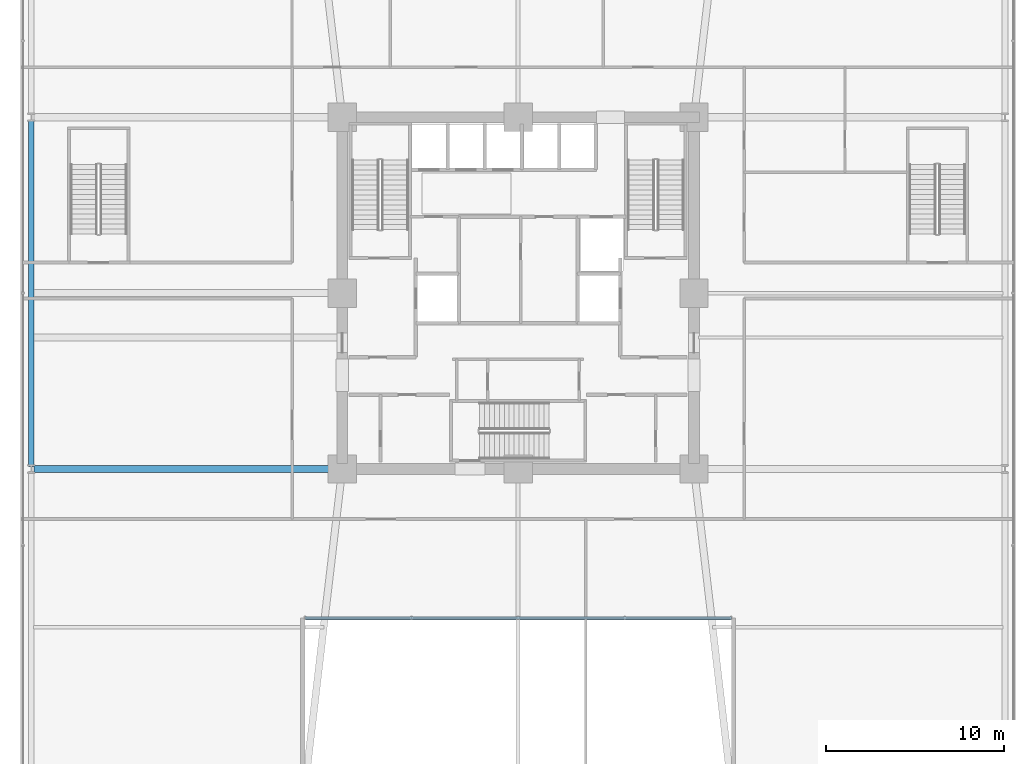
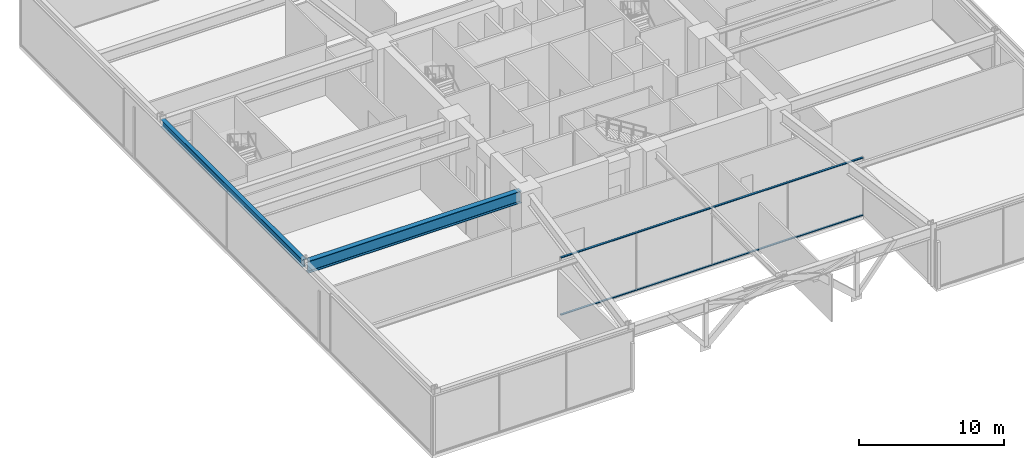
# One storey, part 13 of 49: 2 beams, 2 members, 1 element without a shape of its own.
"""IFC4 building model written with IfcOpenShell, lengths in metres."""

from ifc_helpers import new_model, si_unit, direction, frame, origin, origin_2d, place, context, subcontext, project, spatial, hollow_rectangle, i_section, extrude, material, material_profile, profile_set, type_object, element, aggregate, save


model = new_model("IFC4")

# Units and contexts
model_context = context("Model", 3, precision=1e-05, world=origin(), true_north=direction((0.0, 1.0)))
body_context = subcontext(model_context, "Body", "Model", "MODEL_VIEW")
ifc_project = project(units=[si_unit("LENGTHUNIT", "METRE"), si_unit("AREAUNIT", "SQUARE_METRE"), si_unit("VOLUMEUNIT", "CUBIC_METRE"), si_unit("PLANEANGLEUNIT", "RADIAN"), si_unit("MASSUNIT", "GRAM", prefix="KILO")], contexts=[model_context])

# Site, building, storey
site_placement = place(None, origin())
site = spatial("IfcSite", under=ifc_project, at=site_placement, CompositionType="ELEMENT")
building_placement = place(site_placement, origin())
building = spatial("IfcBuilding", under=site, at=building_placement, Name="Kolvaren Belvedere", CompositionType="ELEMENT")
storey_placement = place(building_placement, frame((0.0, 0.0, 10.0)))
storey = spatial("IfcBuildingStorey", under=building, at=storey_placement, Name="L03", CompositionType="ELEMENT", Elevation=10.0)

# Beams
ifc_material_1 = material(Name="Structural steel ASTM A992 Grade 50", Category="steel")
ifc_material_profile_1 = material_profile(ifc_material_1, i_section(OverallWidth=0.40087890625, OverallDepth=1.010986328125, WebThickness=0.023681640625, FlangeThickness=0.0419921875, FilletRadius=0.030029296875, at=origin_2d()), Name="W40X297")
ifc_profile_set_1 = profile_set([ifc_material_profile_1], Name="Structural steel ASTM A992 Grade 50")
beam_type_1 = type_object("IfcBeamType", Name="BM-BALL-W40X297", PredefinedType="BEAM", material=ifc_profile_set_1)
beam_1_placement = place(storey_placement, frame((-27.25, -9.89990234375, 4.41455078125), z_axis=(1.0, 0.0, 0.0), x_axis=(0.0, 1.0, 0.0)))
element("IfcBeam", 1, at=beam_1_placement, inside=storey, type_object=beam_type_1, Name="L03 West Interior Girder S", PredefinedType="BEAM", context=body_context, shape_type="SweptSolid", body=[
    extrude(i_section(OverallWidth=0.40087890625, OverallDepth=1.010986328125, WebThickness=0.023681640625, FlangeThickness=0.0419921875, FilletRadius=0.030029296875, at=origin_2d()), origin(), (0.0, 0.0, 1.0), 16.89990234375),
])
ifc_material_2 = material(Name="Structural steel ASTM A992 Grade 50", Category="steel")
ifc_material_profile_2 = material_profile(ifc_material_2, i_section(OverallWidth=0.324951171875, OverallDepth=0.615966796875, WebThickness=0.013916015625, FlangeThickness=0.021484375, FilletRadius=0.02001953125, at=origin_2d()), Name="W24X117")
ifc_profile_set_2 = profile_set([ifc_material_profile_2], Name="Structural steel ASTM A992 Grade 50")
beam_type_2 = type_object("IfcBeamType", Name="BM-SPAN-W24X117", PredefinedType="SPANDREL", material=ifc_profile_set_2)
beam_2_placement = place(storey_placement, frame((-27.39990234375, -9.75, 4.612060546875), z_axis=(0.0, 1.0, 0.0), x_axis=(-1.0, 0.0, 0.0)))
element("IfcBeam", 2, at=beam_2_placement, inside=storey, type_object=beam_type_2, Name="L03 W Podium Spandrel 2", PredefinedType="SPANDREL", context=body_context, shape_type="SweptSolid", body=[
    extrude(i_section(OverallWidth=0.324951171875, OverallDepth=0.615966796875, WebThickness=0.013916015625, FlangeThickness=0.021484375, FilletRadius=0.02001953125, at=origin_2d()), origin(), (0.0, 0.0, 1.0), 19.5),
])

# Curtain wall, members
ifc_material_3 = material(Name="Anodised pale-metal aluminium AA 6063-T6", Category="aluminium")
curtain_wall_type = type_object("IfcCurtainWallType", Name="CW-POD-A", PredefinedType="NOTDEFINED", material=ifc_material_3)
curtain_wall_placement = place(storey_placement, origin())
curtain_wall = element("IfcCurtainWall", 3, at=curtain_wall_placement, inside=storey, type_object=curtain_wall_type, Name="L03 Unitised Curtain Wall FCW-L03-SEG3", PredefinedType="NOTDEFINED")
ifc_material_4 = material(Name="Anodised pale-metal aluminium AA 6063-T6", Category="aluminium")
ifc_material_profile_3 = material_profile(ifc_material_4, hollow_rectangle(XDim=0.06494140625, YDim=0.159912109375, WallThickness=0.00390625, at=origin_2d()), Name="ALU-TRN-160X65")
ifc_profile_set_3 = profile_set([ifc_material_profile_3], Name="Anodised pale-metal aluminium AA 6063-T6")
member_type = type_object("IfcMemberType", Name="CW-TRN-160", PredefinedType="USERDEFINED", material=ifc_profile_set_3)
member_1_placement = place(storey_placement, frame((12.0, -18.280029296875, 0.06005859375), z_axis=(-1.0, 0.0, 0.0), x_axis=(0.0, 0.0, 1.0)))
member_1 = element("IfcMember", 4, at=member_1_placement, type_object=member_type, Name="FCW-L03-SEG3 Sill Transom", ObjectType="TRANSOM", PredefinedType="USERDEFINED", context=body_context, shape_type="SweptSolid", body=[
    extrude(hollow_rectangle(XDim=0.06494140625, YDim=0.159912109375, WallThickness=0.00390625, at=origin_2d()), origin(), (0.0, 0.0, 1.0), 24.0),
])
member_2_placement = place(storey_placement, frame((12.0, -18.280029296875, 4.860107421875), z_axis=(-1.0, 0.0, 0.0), x_axis=(0.0, 0.0, 1.0)))
member_2 = element("IfcMember", 5, at=member_2_placement, type_object=member_type, Name="FCW-L03-SEG3 Head Transom", ObjectType="TRANSOM", PredefinedType="USERDEFINED", context=body_context, shape_type="SweptSolid", body=[
    extrude(hollow_rectangle(XDim=0.06494140625, YDim=0.159912109375, WallThickness=0.00390625, at=origin_2d()), origin(), (0.0, 0.0, 1.0), 24.0),
])
aggregate(curtain_wall, [member_1, member_2])

save(model, "model.ifc")
